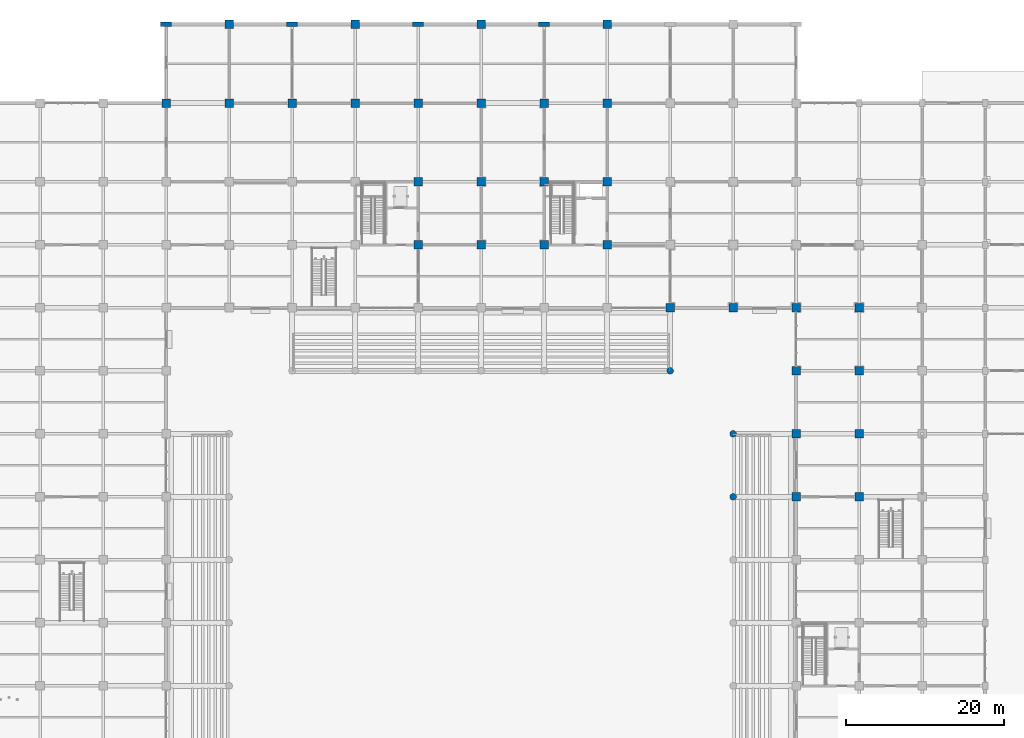
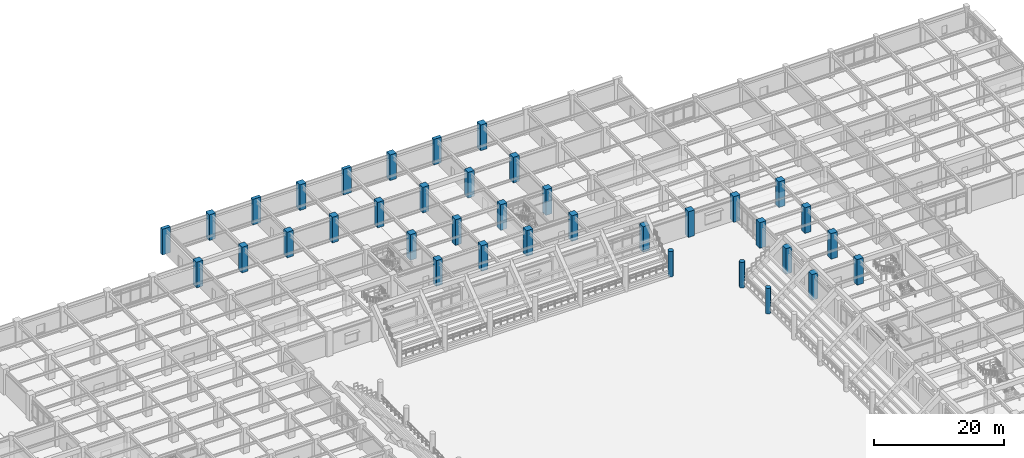
# One storey, part 19 of 125: 37 columns.
"""IFC4 building model written with IfcOpenShell, lengths in metres."""

from ifc_helpers import new_model, si_unit, direction, frame, origin, origin_2d, place, context, subcontext, project, spatial, rectangle, circle, extrude, material, material_profile, profile_set, type_object, element, save


model = new_model("IFC4")

# Units and contexts
model_context = context("Model", 3, precision=1e-05, world=origin(), true_north=direction((0.0, 1.0)))
body_context = subcontext(model_context, "Body", "Model", "MODEL_VIEW")
ifc_project = project(units=[si_unit("LENGTHUNIT", "METRE"), si_unit("AREAUNIT", "SQUARE_METRE"), si_unit("VOLUMEUNIT", "CUBIC_METRE"), si_unit("PLANEANGLEUNIT", "RADIAN"), si_unit("MASSUNIT", "GRAM", prefix="KILO")], contexts=[model_context])

# Site, building, storey
site_placement = place(None, origin())
site = spatial("IfcSite", under=ifc_project, at=site_placement, CompositionType="ELEMENT")
building_placement = place(site_placement, origin())
building = spatial("IfcBuilding", under=site, at=building_placement, Name="Haebicheon Civic Stadium", CompositionType="ELEMENT")
storey_placement = place(building_placement, origin())
storey = spatial("IfcBuildingStorey", under=building, at=storey_placement, Name="L01", CompositionType="ELEMENT", Elevation=0.0)

# Columns
ifc_material_1 = material(Name="Concrete C40/50", Category="concrete")
ifc_material_profile_1 = material_profile(ifc_material_1, rectangle(XDim=1.10009765625, YDim=1.10009765625, at=origin_2d()), Name="RC-COL-1100x1100")
ifc_profile_set_1 = profile_set([ifc_material_profile_1], Name="Concrete C40/50")
column_type_1 = type_object("IfcColumnType", Name="COL-RC-1100", PredefinedType="COLUMN", material=ifc_profile_set_1)
for number, where, z_axis, x_axis, name in (
    (1, (64.0, 178.0, 0.0), (0.0, 0.0, 1.0), (1.0, 0.0, 0.0), "L01 column 9/Y"),
    (2, (72.0, 178.0, 0.0), (0.0, 0.0, 1.0), (1.0, 0.0, 0.0), "L01 column 10/Y"),
    (3, (72.0, 188.0, 0.0), (0.0, 0.0, 1.0), (1.0, 0.0, 0.0), "L01 column 10/Z"),
    (4, (80.0, 178.0, 0.0), (0.0, 0.0, 1.0), (1.0, 0.0, 0.0), "L01 column 11/Y"),
    (5, (88.0, 178.0, 0.0), (0.0, 0.0, 1.0), (1.0, 0.0, 0.0), "L01 column 12/Y"),
    (6, (88.0, 188.0, 0.0), (0.0, 0.0, 1.0), (1.0, 0.0, 0.0), "L01 column 12/Z"),
    (7, (96.0, 160.0, 0.0), (0.0, 0.0, 1.0), (1.0, 0.0, 0.0), "L01 column 13/W"),
    (8, (96.0, 168.0, 0.0), (0.0, 0.0, 1.0), (1.0, 0.0, 0.0), "L01 column 13/X"),
    (9, (96.0, 178.0, 0.0), (0.0, 0.0, 1.0), (1.0, 0.0, 0.0), "L01 column 13/Y"),
    (10, (104.0, 160.0, 0.0), (0.0, 0.0, 1.0), (1.0, 0.0, 0.0), "L01 column 14/W"),
    (11, (104.0, 168.0, 0.0), (0.0, 0.0, 1.0), (1.0, 0.0, 0.0), "L01 column 14/X"),
    (12, (104.0, 178.0, 0.0), (0.0, 0.0, 1.0), (1.0, 0.0, 0.0), "L01 column 14/Y"),
    (13, (104.0, 188.0, 0.0), (0.0, 0.0, 1.0), (1.0, 0.0, 0.0), "L01 column 14/Z"),
    (14, (112.0, 160.0, 0.0), (0.0, 0.0, 1.0), (1.0, 0.0, 0.0), "L01 column 15/W"),
    (15, (112.0, 168.0, 0.0), (0.0, 0.0, 1.0), (1.0, 0.0, 0.0), "L01 column 15/X"),
    (16, (112.0, 178.0, 0.0), (0.0, 0.0, 1.0), (1.0, 0.0, 0.0), "L01 column 15/Y"),
    (17, (120.0, 160.0, 0.0), (0.0, 0.0, 1.0), (1.0, 0.0, 0.0), "L01 column 16/W"),
    (18, (120.0, 168.0, 0.0), (0.0, 0.0, 1.0), (1.0, 0.0, 0.0), "L01 column 16/X"),
    (19, (120.0, 178.0, 0.0), (0.0, 0.0, 1.0), (1.0, 0.0, 0.0), "L01 column 16/Y"),
    (20, (120.0, 188.0, 0.0), (0.0, 0.0, 1.0), (1.0, 0.0, 0.0), "L01 column 16/Z"),
    (21, (128.0, 152.0, 0.0), (0.0, 0.0, 1.0), (1.0, 0.0, 0.0), "L01 column 17/V"),
    (22, (136.0, 152.0, 0.0), (0.0, 0.0, 1.0), (1.0, 0.0, 0.0), "L01 column 18/V"),
    (23, (144.0, 128.0, 0.0), (0.0, 0.0, 1.0), (1.0, 0.0, 0.0), "L01 column 19/S"),
    (24, (144.0, 136.0, 0.0), (0.0, 0.0, 1.0), (1.0, 0.0, 0.0), "L01 column 19/T"),
    (25, (144.0, 144.0, 0.0), (0.0, 0.0, 1.0), (1.0, 0.0, 0.0), "L01 column 19/U"),
    (26, (144.0, 152.0, 0.0), (0.0, 0.0, 1.0), (1.0, 0.0, 0.0), "L01 column 19/V"),
    (27, (152.0, 128.0, 0.0), (0.0, 0.0, 1.0), (1.0, 0.0, 0.0), "L01 column 20/S"),
    (28, (152.0, 136.0, 0.0), (0.0, 0.0, 1.0), (1.0, 0.0, 0.0), "L01 column 20/T"),
    (29, (152.0, 144.0, 0.0), (0.0, 0.0, 1.0), (1.0, 0.0, 0.0), "L01 column 20/U"),
    (30, (152.0, 152.0, 0.0), (0.0, 0.0, 1.0), (1.0, 0.0, 0.0), "L01 column 20/V"),
):
    element("IfcColumn", number, at=place(storey_placement, frame(where, z_axis=z_axis, x_axis=x_axis)), inside=storey, type_object=column_type_1, material=ifc_profile_set_1, Name=name, PredefinedType="COLUMN", context=body_context, shape_type="SweptSolid", body=[
        extrude(rectangle(XDim=1.10009765625, YDim=1.10009765625, at=origin_2d()), origin(), (0.0, 0.0, 1.0), 4.800048828125),
    ])
ifc_material_2 = material(Name="Concrete C40/50", Category="concrete")
ifc_material_profile_2 = material_profile(ifc_material_2, circle(Radius=0.425048828125, at=origin_2d()), Name="RC-COL-D850")
ifc_profile_set_2 = profile_set([ifc_material_profile_2], Name="Concrete C40/50")
column_type_2 = type_object("IfcColumnType", Name="COL-RC-D850", PredefinedType="COLUMN", material=ifc_profile_set_2)
for number, where, z_axis, x_axis, name in (
    (31, (136.0, 128.0, 0.0), (0.0, 0.0, 1.0), (1.0, 0.0, 0.0), "Bowl/canopy support column 136/128 (L01)"),
    (32, (136.0, 136.0, 0.0), (0.0, 0.0, 1.0), (1.0, 0.0, 0.0), "Bowl/canopy support column 136/136 (L01)"),
    (33, (128.0, 144.0, 0.0), (0.0, 0.0, 1.0), (1.0, 0.0, 0.0), "Bowl/canopy support column 128/144 (L01)"),
):
    element("IfcColumn", number, at=place(storey_placement, frame(where, z_axis=z_axis, x_axis=x_axis)), inside=storey, type_object=column_type_2, material=ifc_profile_set_2, Name=name, PredefinedType="COLUMN", context=body_context, shape_type="SweptSolid", body=[
        extrude(circle(Radius=0.425048828125, at=origin_2d()), origin(), (0.0, 0.0, 1.0), 4.800048828125),
    ])
ifc_material_3 = material(Name="Concrete C40/50", Category="concrete")
ifc_material_profile_3 = material_profile(ifc_material_3, rectangle(XDim=0.60009765625, YDim=1.39990234375, at=origin_2d()), Name="RC-PIL-600x1400")
ifc_profile_set_3 = profile_set([ifc_material_profile_3], Name="Concrete C40/50")
column_type_3 = type_object("IfcColumnType", Name="PIL-RC-600x1400", PredefinedType="PILASTER", material=ifc_profile_set_3)
for number, where, z_axis, x_axis, name in (
    (34, (64.0, 188.0, 0.0), (0.0, 0.0, 1.0), (0.0, 1.0, 0.0), "L01 column 9/Z"),
    (35, (80.0, 188.0, 0.0), (0.0, 0.0, 1.0), (0.0, 1.0, 0.0), "L01 column 11/Z"),
    (36, (96.0, 188.0, 0.0), (0.0, 0.0, 1.0), (0.0, 1.0, 0.0), "L01 column 13/Z"),
    (37, (112.0, 188.0, 0.0), (0.0, 0.0, 1.0), (0.0, 1.0, 0.0), "L01 column 15/Z"),
):
    element("IfcColumn", number, at=place(storey_placement, frame(where, z_axis=z_axis, x_axis=x_axis)), inside=storey, type_object=column_type_3, material=ifc_profile_set_3, Name=name, PredefinedType="PILASTER", context=body_context, shape_type="SweptSolid", body=[
        extrude(rectangle(XDim=0.60009765625, YDim=1.39990234375, at=origin_2d()), origin(), (0.0, 0.0, 1.0), 4.800048828125),
    ])

save(model, "model.ifc")
